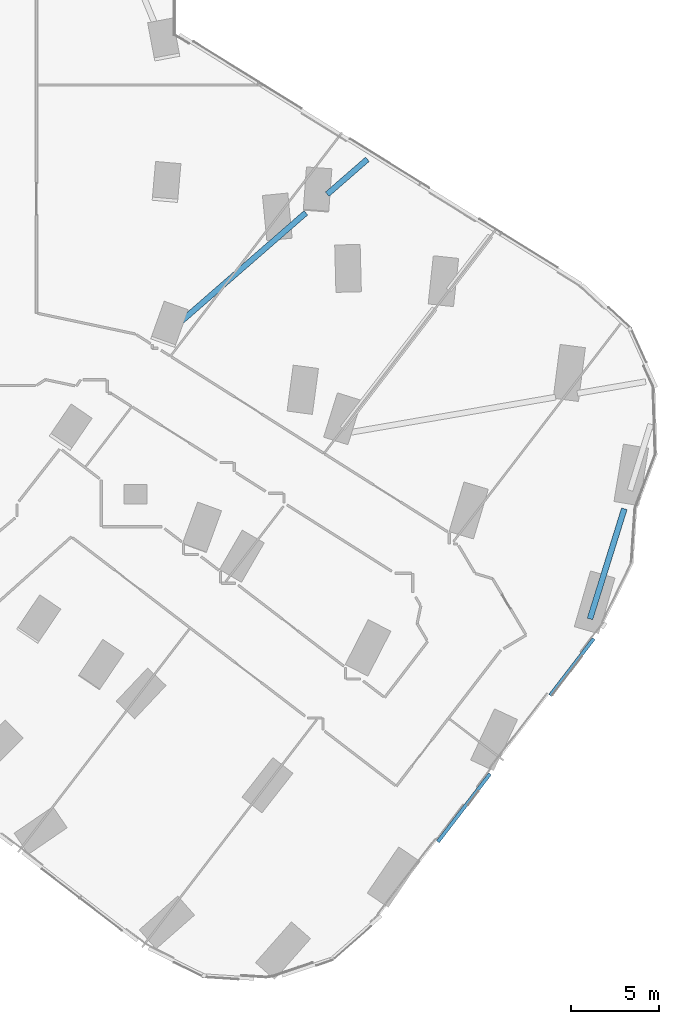
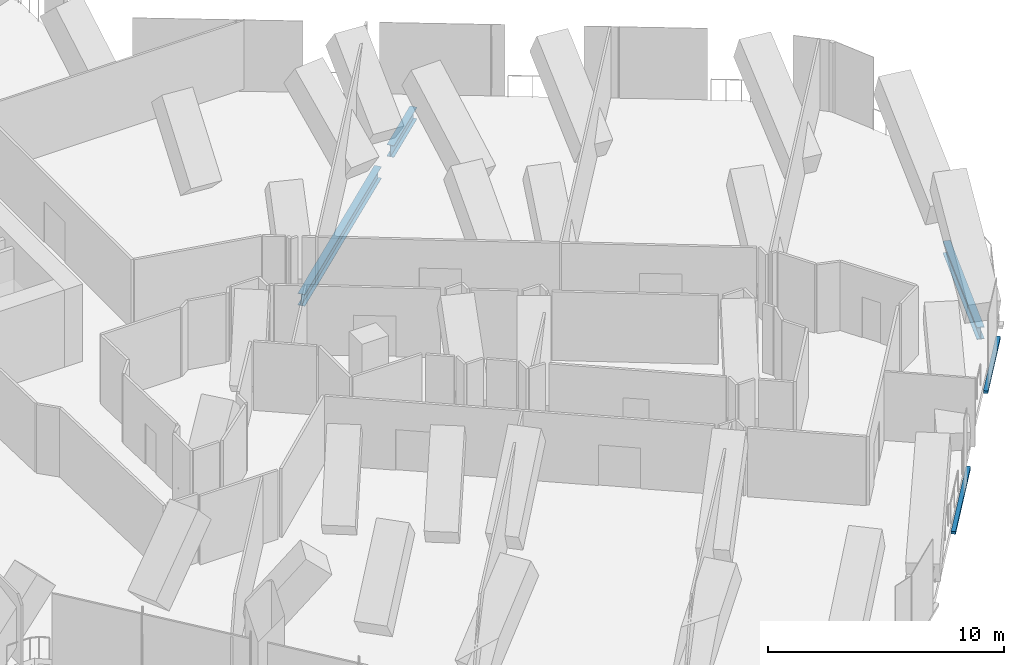
# One storey, part 9 of 32: 3 beams, 2 members, 1 element without a shape of its own.
"""IFC4 building model written with IfcOpenShell, lengths in metres."""

import ifcopenshell
import ifcopenshell.guid

model = None  # the IFC model being written
_history = None  # IfcOwnerHistory: only IFC2X3 demands one
_inside = {}  # id of a spatial element -> (the spatial element, [elements in it])
_under = {}  # id of a project, library or spatial element -> (it, [spatial elements below it])
_declared = {}  # id of a project -> (the project, [libraries it declares])
_typed = {}  # id of a type object -> (the type object, [elements of that type])
_made_of = {}  # id of a material, layer set ... -> (it, [elements and type objects made of it])


def new_model(schema):
    """Start an empty IFC model of exactly this schema.

    Asked for "IFC4X3", IfcOpenShell would pick the latest addendum, in which some entities
    have other attributes; the version numbers below select the first issue.
    IFC2X3 requires an IfcOwnerHistory on every rooted entity: one is made here for all.
    """
    global model, _history
    if schema == "IFC4X3":
        model = ifcopenshell.file(schema_version=(4, 3, 0, 0))
    else:
        model = ifcopenshell.file(schema=schema)
    _inside.clear()
    _under.clear()
    _declared.clear()
    _typed.clear()
    _made_of.clear()
    _history = None
    if model.schema == "IFC2X3":
        org = make("IfcOrganization", Name="unknown")
        user = make(
            "IfcPersonAndOrganization",
            ThePerson=make("IfcPerson", FamilyName="unknown"),
            TheOrganization=org,
        )
        app = make(
            "IfcApplication",
            ApplicationDeveloper=org,
            Version="unknown",
            ApplicationFullName="unknown",
            ApplicationIdentifier="unknown",
        )
        _history = make(
            "IfcOwnerHistory",
            OwningUser=user,
            OwningApplication=app,
            ChangeAction="ADDED",
            CreationDate=0,
        )
    return model


def make(cls, **values):
    """One entity of the class cls with the attributes given. An attribute that is None is left unset."""
    return model.create_entity(
        cls, **{name: value for name, value in values.items() if value is not None}
    )


def rooted(cls, **values):
    """An entity with a GlobalId (a new one), such as an element, a storey or a relation."""
    return make(cls, GlobalId=ifcopenshell.guid.new(), OwnerHistory=_history, **values)


def si_unit(unit_type, name, prefix=None):
    """IfcSIUnit, for example si_unit("LENGTHUNIT", "METRE", prefix="MILLI")."""
    return make("IfcSIUnit", UnitType=unit_type, Prefix=prefix, Name=name)


def assignment(units):
    """IfcUnitAssignment: the units of a project."""
    return None if units is None else make("IfcUnitAssignment", Units=units)


def point(xyz):
    """IfcCartesianPoint."""
    return None if xyz is None else make("IfcCartesianPoint", Coordinates=xyz)


def direction(xyz):
    """IfcDirection."""
    return None if xyz is None else make("IfcDirection", DirectionRatios=xyz)


def frame(location, z_axis=None, x_axis=None):
    """IfcAxis2Placement3D, a coordinate frame: its origin and axes. An axis left out is left unset."""
    return make(
        "IfcAxis2Placement3D",
        Location=point(location),
        Axis=direction(z_axis),
        RefDirection=direction(x_axis),
    )


def frame_2d(location, x_axis=None):
    """IfcAxis2Placement2D, a coordinate frame in the plane: its origin and x axis."""
    return make(
        "IfcAxis2Placement2D", Location=point(location), RefDirection=direction(x_axis)
    )


def origin():
    """The frame at (0, 0, 0) with its axes left unset."""
    return frame((0.0, 0.0, 0.0))


def origin_2d():
    """The frame at (0, 0) in the plane with its x axis left unset."""
    return frame_2d((0.0, 0.0))


def place(relative_to, where):
    """IfcLocalPlacement: puts the frame where relative to a parent placement (None: the world)."""
    return make(
        "IfcLocalPlacement", PlacementRelTo=relative_to, RelativePlacement=where
    )


def context(
    kind, dimensions, precision=None, world=None, true_north=None, identifier=None
):
    """IfcGeometricRepresentationContext, for example the 3D "Model" context."""
    return make(
        "IfcGeometricRepresentationContext",
        ContextIdentifier=identifier,
        ContextType=kind,
        CoordinateSpaceDimension=dimensions,
        Precision=precision,
        WorldCoordinateSystem=world,
        TrueNorth=true_north,
    )


def subcontext(parent, identifier, kind, view, scale=None):
    """IfcGeometricRepresentationSubContext, for example "Body" below "Model"."""
    return make(
        "IfcGeometricRepresentationSubContext",
        ContextIdentifier=identifier,
        ContextType=kind,
        ParentContext=parent,
        TargetScale=scale,
        TargetView=view,
    )


def project(units=None, contexts=None):
    """IfcProject with its units and contexts."""
    return rooted(
        "IfcProject",
        Name="project",
        RepresentationContexts=contexts,
        UnitsInContext=assignment(units),
    )


def spatial(cls, under=None, at=None, **own):
    """A site, building, storey or space (cls), placed at a placement, below another one or the project."""
    s = rooted(cls, ObjectPlacement=at, **own)
    if under is not None:
        _under.setdefault(under.id(), (under, []))[1].append(s)
    return s


def profile(cls, at=None, kind="AREA", **sizes):
    """A parametric profile (cls). Its sizes go by their IFC names, for example OverallWidth=200.0."""
    return make(cls, ProfileType=kind, Position=at, **sizes)


def rectangle(**sizes):
    """IfcRectangleProfileDef."""
    return profile("IfcRectangleProfileDef", **sizes)


def i_section(**sizes):
    """IfcIShapeProfileDef."""
    return profile("IfcIShapeProfileDef", **sizes)


def extrude(swept, where, along, depth):
    """IfcExtrudedAreaSolid: the profile swept, set in the frame where, extruded along a direction by depth."""
    return make(
        "IfcExtrudedAreaSolid",
        SweptArea=swept,
        Position=where,
        ExtrudedDirection=direction(along),
        Depth=depth,
    )


def shape(context_of_items, identifier, shape_type, items):
    """IfcShapeRepresentation: the items that make up one representation, for example the "Body"."""
    return make(
        "IfcShapeRepresentation",
        ContextOfItems=context_of_items,
        RepresentationIdentifier=identifier,
        RepresentationType=shape_type,
        Items=items,
    )


def material(Name=None, Category=None):
    """IfcMaterial."""
    return make("IfcMaterial", Name=Name, Category=Category)


def material_profile(
    of_material, cross_section, Name=None, Category=None, Priority=None
):
    """IfcMaterialProfile: a cross section and its material."""
    return make(
        "IfcMaterialProfile",
        Name=Name,
        Material=of_material,
        Profile=cross_section,
        Priority=Priority,
        Category=Category,
    )


def profile_set(profiles, Name=None, composite=None):
    """IfcMaterialProfileSet."""
    return make(
        "IfcMaterialProfileSet",
        Name=Name,
        MaterialProfiles=profiles,
        CompositeProfile=composite,
    )


def made_of(thing, what):
    """Note that an element or type object is made of a material, layer set ...; save() writes the relation."""
    if what is not None:
        _made_of.setdefault(what.id(), (what, []))[1].append(thing)
    return thing


def type_object(cls, material=None, **own):
    """A type object (cls), such as IfcWallType, which elements share."""
    return made_of(rooted(cls, **own), material)


def element(
    cls,
    number,
    at=None,
    inside=None,
    cuts=None,
    type_object=None,
    material=None,
    context=None,
    identifier="Body",
    shape_type=None,
    held_by="IfcProductDefinitionShape",
    body=None,
    shapes=None,
    **own,
):
    """One element of the class cls, such as IfcWall. Its Tag is "e" and its number.

    at: its placement. inside: the storey or other place that contains it. cuts: it is an
    opening in that element (IfcRelVoidsElement). A single representation is given by context,
    identifier, shape_type and body (its items); several are given by shapes. held_by: the class
    of the entity that holds the representations. save() writes the other relations.
    """
    e = rooted(cls, Tag="e%d" % number, ObjectPlacement=at, **own)
    if body is not None:
        shapes = [shape(context, identifier, shape_type, body)]
    if shapes is not None:
        e.Representation = make(held_by, Representations=shapes)
    if inside is not None:
        _inside.setdefault(inside.id(), (inside, []))[1].append(e)
    if cuts is not None:
        rooted(
            "IfcRelVoidsElement", RelatingBuildingElement=cuts, RelatedOpeningElement=e
        )
    if type_object is not None:
        _typed.setdefault(type_object.id(), (type_object, []))[1].append(e)
    return made_of(e, material)


def aggregate(whole, parts):
    """IfcRelAggregates: a whole, such as a stair, and the parts it consists of."""
    return rooted("IfcRelAggregates", RelatingObject=whole, RelatedObjects=parts)


def save(model, path):
    """Write the relations noted so far, then the file.

    IfcRelAggregates (storeys below a building ...), IfcRelContainedInSpatialStructure (elements
    in a storey), IfcRelDefinesByType, IfcRelAssociatesMaterial and IfcRelDeclares: one each for
    every whole, place, type object, material and project.
    """
    for whole, parts in _under.values():
        aggregate(whole, parts)
    for where, things in _inside.values():
        rooted(
            "IfcRelContainedInSpatialStructure",
            RelatedElements=things,
            RelatingStructure=where,
        )
    for kind, things in _typed.values():
        rooted("IfcRelDefinesByType", RelatedObjects=things, RelatingType=kind)
    for what, things in _made_of.values():
        rooted("IfcRelAssociatesMaterial", RelatedObjects=things, RelatingMaterial=what)
    for by, libraries in _declared.values():
        rooted("IfcRelDeclares", RelatingContext=by, RelatedDefinitions=libraries)
    model.write(path)


model = new_model("IFC4")

# Units and contexts
model_context = context("Model", 3, precision=1e-05, world=origin(), true_north=direction((0.0, 1.0)))
body_context = subcontext(model_context, "Body", "Model", "MODEL_VIEW")
ifc_project = project(units=[si_unit("LENGTHUNIT", "METRE"), si_unit("AREAUNIT", "SQUARE_METRE"), si_unit("VOLUMEUNIT", "CUBIC_METRE"), si_unit("PLANEANGLEUNIT", "RADIAN"), si_unit("MASSUNIT", "GRAM", prefix="KILO")], contexts=[model_context])

# Site, building, storey
site_placement = place(None, origin())
site = spatial("IfcSite", under=ifc_project, at=site_placement, CompositionType="ELEMENT")
building_placement = place(site_placement, origin())
building = spatial("IfcBuilding", under=site, at=building_placement, Name="Orlundy Tower", CompositionType="ELEMENT")
storey_placement = place(building_placement, frame((0.0, 0.0, 33.300048828125)))
storey = spatial("IfcBuildingStorey", under=building, at=storey_placement, Name="L06", CompositionType="ELEMENT", Elevation=33.300048828125)

# Beams
ifc_material_1 = material(Name="Steel ASTM A992 Gr 50", Category="steel")
ifc_material_profile_1 = material_profile(ifc_material_1, i_section(OverallWidth=0.32373046875, OverallDepth=0.611083984375, WebThickness=0.0126953125, FlangeThickness=0.01904296875, at=origin_2d()), Name="W24X104")
ifc_profile_set_1 = profile_set([ifc_material_profile_1], Name="Steel ASTM A992 Gr 50")
beam_type_1 = type_object("IfcBeamType", Name="CANTILEVER GIRDER beam W24X104", PredefinedType="BEAM", material=ifc_profile_set_1)
beam_1_placement = place(storey_placement, frame((40.88427734375, -2.178955078125, -0.7255859375), z_axis=(-0.754192341203, -0.656653571124, 0.0), x_axis=(0.656653571124, -0.754192341203, 0.0)))
element("IfcBeam", 1, at=beam_1_placement, inside=storey, type_object=beam_type_1, Name="Cantilever girder C-A5-1 L06", PredefinedType="BEAM", context=body_context, shape_type="SweptSolid", body=[
    extrude(i_section(OverallWidth=0.32373046875, OverallDepth=0.611083984375, WebThickness=0.0126953125, FlangeThickness=0.01904296875, at=origin_2d()), origin(), (0.0, 0.0, 1.0), 3.028564453125),
])
beam_2_placement = place(storey_placement, frame((37.3818359375, -5.228271484375, -0.7255859375), z_axis=(-0.754185874104, -0.656660998768, 0.0), x_axis=(0.656660998768, -0.754185874104, 0.0)))
element("IfcBeam", 2, at=beam_2_placement, inside=storey, type_object=beam_type_1, Name="Back-span girder C-A5-1 L06", PredefinedType="BEAM", context=body_context, shape_type="SweptSolid", body=[
    extrude(i_section(OverallWidth=0.32373046875, OverallDepth=0.611083984375, WebThickness=0.0126953125, FlangeThickness=0.01904296875, at=origin_2d()), origin(), (0.0, 0.0, 1.0), 10.0234375),
])
ifc_material_2 = material(Name="Steel ASTM A992 Gr 50", Category="steel")
ifc_material_profile_2 = material_profile(ifc_material_2, i_section(OverallWidth=0.3291015625, OverallDepth=0.635009765625, WebThickness=0.017822265625, FlangeThickness=0.031005859375, at=origin_2d()), Name="W24X162")
ifc_profile_set_2 = profile_set([ifc_material_profile_2], Name="Steel ASTM A992 Gr 50")
beam_type_2 = type_object("IfcBeamType", Name="CANTILEVER GIRDER beam W24X162", PredefinedType="BEAM", material=ifc_profile_set_2)
beam_3_placement = place(storey_placement, frame((55.514404296875, -22.076416015625, -0.737548828125), z_axis=(-0.297731223842, -0.95464973595, 0.0), x_axis=(0.95464973595, -0.297731223842, 0.0)))
element("IfcBeam", 3, at=beam_3_placement, inside=storey, type_object=beam_type_2, Name="Back-span girder C-A5-5 L06", PredefinedType="BEAM", context=body_context, shape_type="SweptSolid", body=[
    extrude(i_section(OverallWidth=0.3291015625, OverallDepth=0.635009765625, WebThickness=0.017822265625, FlangeThickness=0.031005859375, at=origin_2d()), origin(), (0.0, 0.0, 1.0), 6.57080078125),
])

# Curtain wall, members
ifc_material_3 = material(Name="Aluminium bronze anodised", Category="aluminium")
curtain_wall_type = type_object("IfcCurtainWallType", Name="CW5 wall", PredefinedType="NOTDEFINED", material=ifc_material_3)
curtain_wall_placement = place(storey_placement, origin())
curtain_wall = element("IfcCurtainWall", 4, at=curtain_wall_placement, inside=storey, type_object=curtain_wall_type, Name="CW5 run 022", PredefinedType="NOTDEFINED")
ifc_material_4 = material(Name="Aluminium bronze anodised", Category="aluminium")
ifc_material_profile_3 = material_profile(ifc_material_4, rectangle(XDim=0.199951171875, YDim=0.139892578125, at=origin_2d()), Name="CW5 transom 200x140")
ifc_profile_set_3 = profile_set([ifc_material_profile_3], Name="Aluminium bronze anodised")
member_type = type_object("IfcMemberType", Name="CW5 transom 200x140", PredefinedType="USERDEFINED", material=ifc_profile_set_3)
member_1_placement = place(storey_placement, frame((53.7724609375, -29.468994140625, -0.35009765625), z_axis=(-0.608761860841, -0.793353008934, 0.0), x_axis=(0.793353008934, -0.608761860841, 0.0)))
member_1 = element("IfcMember", 5, at=member_1_placement, type_object=member_type, Name="CW5 transom", ObjectType="TRANSOM", PredefinedType="USERDEFINED", context=body_context, shape_type="SweptSolid", body=[
    extrude(rectangle(XDim=0.199951171875, YDim=0.139892578125, at=origin_2d()), origin(), (0.0, 0.0, 1.0), 4.080322265625),
])
member_2_placement = place(storey_placement, frame((47.866943359375, -37.1650390625, -0.35009765625), z_axis=(-0.608769720195, -0.793346978171, 0.0), x_axis=(0.793346978171, -0.608769720195, 0.0)))
member_2 = element("IfcMember", 6, at=member_2_placement, type_object=member_type, Name="CW5 transom", ObjectType="TRANSOM", PredefinedType="USERDEFINED", context=body_context, shape_type="SweptSolid", body=[
    extrude(rectangle(XDim=0.199951171875, YDim=0.139892578125, at=origin_2d()), origin(), (0.0, 0.0, 1.0), 4.87939453125),
])
aggregate(curtain_wall, [member_1, member_2])

save(model, "model.ifc")
